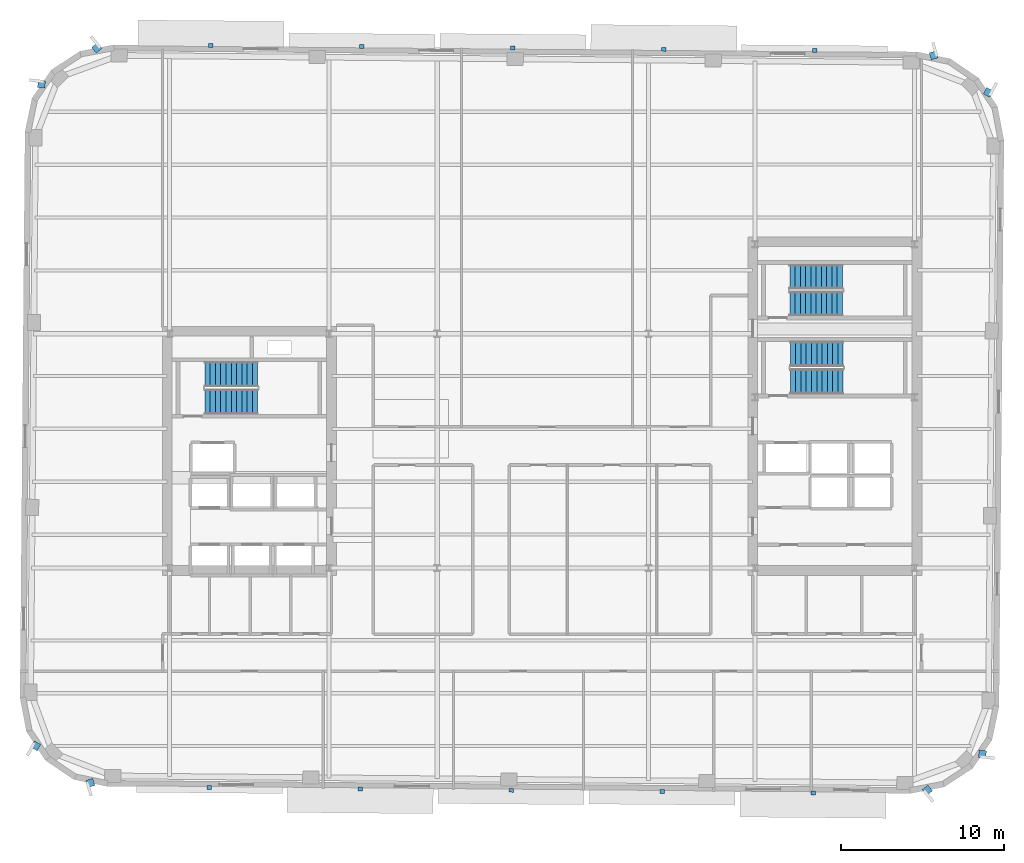
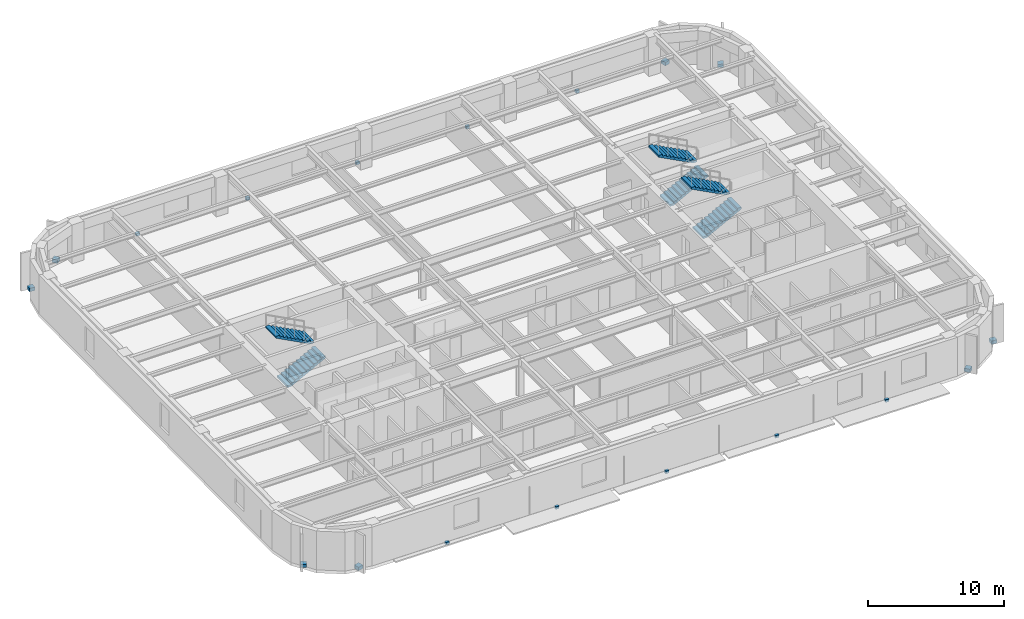
# One storey, part 7 of 12: 18 discrete accessories, 6 stair flights, 3 elements without a shape of their own.
"""IFC4 building model written with IfcOpenShell, lengths in metres."""

from ifc_helpers import new_model, si_unit, direction, frame, origin, origin_2d, place, context, subcontext, project, spatial, polyline, rectangle, outline, extrude, material, type_object, element, aggregate, save


model = new_model("IFC4")

# Units and contexts
model_context = context("Model", 3, precision=1e-05, world=origin(), true_north=direction((0.0, 1.0)))
body_context = subcontext(model_context, "Body", "Model", "MODEL_VIEW")
ifc_project = project(units=[si_unit("LENGTHUNIT", "METRE"), si_unit("AREAUNIT", "SQUARE_METRE"), si_unit("VOLUMEUNIT", "CUBIC_METRE"), si_unit("PLANEANGLEUNIT", "RADIAN"), si_unit("MASSUNIT", "GRAM", prefix="KILO")], contexts=[model_context])

# Site, building, storey
site_placement = place(None, origin())
site = spatial("IfcSite", under=ifc_project, at=site_placement, CompositionType="ELEMENT")
building_placement = place(site_placement, origin())
building = spatial("IfcBuilding", under=site, at=building_placement, Name="Kolvaren Arena Tower", CompositionType="ELEMENT")
storey_placement = place(building_placement, frame((0.0, 0.0, 199.699951171875)))
storey = spatial("IfcBuildingStorey", under=building, at=storey_placement, Name="L48", CompositionType="ELEMENT", Elevation=199.699951171875)

# Stair, stair flights
ifc_material_1 = material(Name="Concrete 45 MPa", Category="concrete")
stair_type_1 = type_object("IfcStairType", Name="STAIR-CORE-150", PredefinedType="HALF_TURN_STAIR", material=ifc_material_1)
stair_1_placement = place(storey_placement, origin())
stair_1 = element("IfcStair", 1, at=stair_1_placement, inside=storey, type_object=stair_type_1, Name="L48 ST-E2", PredefinedType="HALF_TURN_STAIR")
stair_flight_type_1 = type_object("IfcStairFlightType", Name="FLT-150", PredefinedType="STRAIGHT", material=ifc_material_1)
stair_flight_1_placement = place(storey_placement, frame((52.679931640625, 35.699951171875, 0.0), z_axis=(0.0, 0.0, 1.0), x_axis=(1.0, 0.0, 0.0)))
stair_flight_1 = element("IfcStairFlight", 2, at=stair_flight_1_placement, type_object=stair_flight_type_1, Name="ST-E2 flight 1", NumberOfRisers=11, NumberOfTreads=10, PredefinedType="STRAIGHT", RiserHeight=0.170454545, TreadLength=0.324, context=body_context, shape_type="SweptSolid", body=[
    extrude(outline(polyline([(0.0, 0.0), (0.0, 0.17041015625), (0.323974609375, 0.17041015625), (0.323974609375, 0.3408203125), (0.64794921875, 0.3408203125), (0.64794921875, 0.511474609375), (0.971923828125, 0.511474609375), (0.971923828125, 0.681884765625), (1.2958984375, 0.681884765625), (1.2958984375, 0.852294921875), (1.6201171875, 0.852294921875), (1.6201171875, 1.022705078125), (1.944091796875, 1.022705078125), (1.944091796875, 1.193115234375), (2.26806640625, 1.193115234375), (2.26806640625, 1.363525390625), (2.592041015625, 1.363525390625), (2.592041015625, 1.5341796875), (2.916015625, 1.5341796875), (2.916015625, 1.70458984375), (3.239990234375, 1.70458984375), (3.239990234375, 1.875), (3.239990234375, 1.53515625), (0.322021484375, 0.0), (0.0, 0.0)])), frame((0.0, 0.75, 0.0), z_axis=(0.0, -1.0, 0.0), x_axis=(1.0, 0.0, 0.0)), (0.0, 0.0, 1.0), 1.5),
])
stair_flight_2_placement = place(storey_placement, frame((55.919921875, 37.35009765625, 1.875), z_axis=(0.0, 0.0, 1.0), x_axis=(-1.0, 0.0, 0.0)))
stair_flight_2 = element("IfcStairFlight", 3, at=stair_flight_2_placement, type_object=stair_flight_type_1, Name="ST-E2 flight 2", NumberOfRisers=11, NumberOfTreads=10, PredefinedType="STRAIGHT", RiserHeight=0.170454545, TreadLength=0.324, context=body_context, shape_type="SweptSolid", body=[
    extrude(outline(polyline([(0.0, 0.0), (0.0, 0.17041015625), (0.323974609375, 0.17041015625), (0.323974609375, 0.3408203125), (0.64794921875, 0.3408203125), (0.64794921875, 0.511474609375), (0.971923828125, 0.511474609375), (0.971923828125, 0.681884765625), (1.2958984375, 0.681884765625), (1.2958984375, 0.852294921875), (1.6201171875, 0.852294921875), (1.6201171875, 1.022705078125), (1.944091796875, 1.022705078125), (1.944091796875, 1.193115234375), (2.26806640625, 1.193115234375), (2.26806640625, 1.363525390625), (2.592041015625, 1.363525390625), (2.592041015625, 1.5341796875), (2.916015625, 1.5341796875), (2.916015625, 1.70458984375), (3.239990234375, 1.70458984375), (3.239990234375, 1.875), (3.239990234375, 1.53515625), (0.322021484375, 0.0), (0.0, 0.0)])), frame((0.0, 0.75, 0.0), z_axis=(0.0, -1.0, 0.0), x_axis=(1.0, 0.0, 0.0)), (0.0, 0.0, 1.0), 1.5),
])
aggregate(stair_1, [stair_flight_1, stair_flight_2])

stair_type_2 = type_object("IfcStairType", Name="STAIR-CORE-165", PredefinedType="HALF_TURN_STAIR", material=ifc_material_1)
stair_2_placement = place(storey_placement, origin())
stair_2 = element("IfcStair", 4, at=stair_2_placement, inside=storey, type_object=stair_type_2, Name="L48 ST-W1", PredefinedType="HALF_TURN_STAIR")
stair_flight_type_2 = type_object("IfcStairFlightType", Name="FLT-165", PredefinedType="STRAIGHT", material=ifc_material_1)
stair_flight_3_placement = place(storey_placement, frame((16.719970703125, 29.669921875, 0.0), z_axis=(0.0, 0.0, 1.0), x_axis=(1.0, 0.0, 0.0)))
stair_flight_3 = element("IfcStairFlight", 5, at=stair_flight_3_placement, type_object=stair_flight_type_2, Name="ST-W1 flight 1", NumberOfRisers=11, NumberOfTreads=10, PredefinedType="STRAIGHT", RiserHeight=0.170454545, TreadLength=0.324, context=body_context, shape_type="SweptSolid", body=[
    extrude(outline(polyline([(0.0, 0.0), (0.0, 0.17041015625), (0.323974609375, 0.17041015625), (0.323974609375, 0.3408203125), (0.64794921875, 0.3408203125), (0.64794921875, 0.511474609375), (0.971923828125, 0.511474609375), (0.971923828125, 0.681884765625), (1.2958984375, 0.681884765625), (1.2958984375, 0.852294921875), (1.6201171875, 0.852294921875), (1.6201171875, 1.022705078125), (1.944091796875, 1.022705078125), (1.944091796875, 1.193115234375), (2.26806640625, 1.193115234375), (2.26806640625, 1.363525390625), (2.592041015625, 1.363525390625), (2.592041015625, 1.5341796875), (2.916015625, 1.5341796875), (2.916015625, 1.70458984375), (3.239990234375, 1.70458984375), (3.239990234375, 1.875), (3.239990234375, 1.53515625), (0.322021484375, 0.0), (0.0, 0.0)])), frame((0.0, 0.77001953125, 0.0), z_axis=(0.0, -1.0, 0.0), x_axis=(1.0, 0.0, 0.0)), (0.0, 0.0, 1.0), 1.5400390625),
])
stair_flight_4_placement = place(storey_placement, frame((19.9599609375, 31.360107421875, 1.875), z_axis=(0.0, 0.0, 1.0), x_axis=(-1.0, 0.0, 0.0)))
stair_flight_4 = element("IfcStairFlight", 6, at=stair_flight_4_placement, type_object=stair_flight_type_2, Name="ST-W1 flight 2", NumberOfRisers=11, NumberOfTreads=10, PredefinedType="STRAIGHT", RiserHeight=0.170454545, TreadLength=0.324, context=body_context, shape_type="SweptSolid", body=[
    extrude(outline(polyline([(0.0, 0.0), (0.0, 0.17041015625), (0.323974609375, 0.17041015625), (0.323974609375, 0.3408203125), (0.64794921875, 0.3408203125), (0.64794921875, 0.511474609375), (0.971923828125, 0.511474609375), (0.971923828125, 0.681884765625), (1.2958984375, 0.681884765625), (1.2958984375, 0.852294921875), (1.6201171875, 0.852294921875), (1.6201171875, 1.022705078125), (1.944091796875, 1.022705078125), (1.944091796875, 1.193115234375), (2.26806640625, 1.193115234375), (2.26806640625, 1.363525390625), (2.592041015625, 1.363525390625), (2.592041015625, 1.5341796875), (2.916015625, 1.5341796875), (2.916015625, 1.70458984375), (3.239990234375, 1.70458984375), (3.239990234375, 1.875), (3.239990234375, 1.53515625), (0.322021484375, 0.0), (0.0, 0.0)])), frame((0.0, 0.77001953125, 0.0), z_axis=(0.0, -1.0, 0.0), x_axis=(1.0, 0.0, 0.0)), (0.0, 0.0, 1.0), 1.5400390625),
])
aggregate(stair_2, [stair_flight_3, stair_flight_4])

stair_3_placement = place(storey_placement, origin())
stair_3 = element("IfcStair", 7, at=stair_3_placement, inside=storey, type_object=stair_type_2, Name="L48 ST-E1", PredefinedType="HALF_TURN_STAIR")
stair_flight_5_placement = place(storey_placement, frame((52.719970703125, 30.919921875, 0.0), z_axis=(0.0, 0.0, 1.0), x_axis=(1.0, 0.0, 0.0)))
stair_flight_5 = element("IfcStairFlight", 8, at=stair_flight_5_placement, type_object=stair_flight_type_2, Name="ST-E1 flight 1", NumberOfRisers=11, NumberOfTreads=10, PredefinedType="STRAIGHT", RiserHeight=0.170454545, TreadLength=0.324, context=body_context, shape_type="SweptSolid", body=[
    extrude(outline(polyline([(0.0, 0.0), (0.0, 0.17041015625), (0.323974609375, 0.17041015625), (0.323974609375, 0.3408203125), (0.64794921875, 0.3408203125), (0.64794921875, 0.511474609375), (0.971923828125, 0.511474609375), (0.971923828125, 0.681884765625), (1.2958984375, 0.681884765625), (1.2958984375, 0.852294921875), (1.6201171875, 0.852294921875), (1.6201171875, 1.022705078125), (1.944091796875, 1.022705078125), (1.944091796875, 1.193115234375), (2.26806640625, 1.193115234375), (2.26806640625, 1.363525390625), (2.592041015625, 1.363525390625), (2.592041015625, 1.5341796875), (2.916015625, 1.5341796875), (2.916015625, 1.70458984375), (3.239990234375, 1.70458984375), (3.239990234375, 1.875), (3.239990234375, 1.53515625), (0.322021484375, 0.0), (0.0, 0.0)])), frame((0.0, 0.77001953125, 0.0), z_axis=(0.0, -1.0, 0.0), x_axis=(1.0, 0.0, 0.0)), (0.0, 0.0, 1.0), 1.5400390625),
])
stair_flight_6_placement = place(storey_placement, frame((55.9599609375, 32.610107421875, 1.875), z_axis=(0.0, 0.0, 1.0), x_axis=(-1.0, 0.0, 0.0)))
stair_flight_6 = element("IfcStairFlight", 9, at=stair_flight_6_placement, type_object=stair_flight_type_2, Name="ST-E1 flight 2", NumberOfRisers=11, NumberOfTreads=10, PredefinedType="STRAIGHT", RiserHeight=0.170454545, TreadLength=0.324, context=body_context, shape_type="SweptSolid", body=[
    extrude(outline(polyline([(0.0, 0.0), (0.0, 0.17041015625), (0.323974609375, 0.17041015625), (0.323974609375, 0.3408203125), (0.64794921875, 0.3408203125), (0.64794921875, 0.511474609375), (0.971923828125, 0.511474609375), (0.971923828125, 0.681884765625), (1.2958984375, 0.681884765625), (1.2958984375, 0.852294921875), (1.6201171875, 0.852294921875), (1.6201171875, 1.022705078125), (1.944091796875, 1.022705078125), (1.944091796875, 1.193115234375), (2.26806640625, 1.193115234375), (2.26806640625, 1.363525390625), (2.592041015625, 1.363525390625), (2.592041015625, 1.5341796875), (2.916015625, 1.5341796875), (2.916015625, 1.70458984375), (3.239990234375, 1.70458984375), (3.239990234375, 1.875), (3.239990234375, 1.53515625), (0.322021484375, 0.0), (0.0, 0.0)])), frame((0.0, 0.77001953125, 0.0), z_axis=(0.0, -1.0, 0.0), x_axis=(1.0, 0.0, 0.0)), (0.0, 0.0, 1.0), 1.5400390625),
])
aggregate(stair_3, [stair_flight_5, stair_flight_6])

# Discrete accessories
ifc_material_2 = material(Name="Stainless steel facade support bracket", Category="steel")
discrete_accessory_type = type_object("IfcDiscreteAccessoryType", Name="ACC-BRKT-1", PredefinedType="BRACKET", material=ifc_material_2)
for number, where, z_axis, x_axis, name in (
    (10, (61.135009765625, 5.78173828125, 0.02001953125), (0.0, 0.0, 1.0), (0.625923472184, -0.779884483093, 0.0), "Corner Fin Anchor Bracket (L48)"),
    (11, (64.52490234375, 8.00439453125, 0.02001953125), (0.0, 0.0, 1.0), (0.994056908234, -0.108861669984, 0.0), "Corner Fin Anchor Bracket (L48)"),
    (12, (64.880126953125, 48.687744140625, 0.02001953125), (0.0, 0.0, 1.0), (0.480994889615, 0.876723397751, 0.0), "Corner Fin Anchor Bracket (L48)"),
    (13, (61.529296875, 50.968994140625, 0.02001953125), (0.0, 0.0, 1.0), (-0.279812257957, 0.960054738177, 0.0), "Corner Fin Anchor Bracket (L48)"),
):
    element("IfcDiscreteAccessory", number, at=place(storey_placement, frame(where, z_axis=z_axis, x_axis=x_axis)), inside=storey, type_object=discrete_accessory_type, Name=name, PredefinedType="BRACKET", context=body_context, shape_type="SweptSolid", body=[
        extrude(rectangle(XDim=0.449951171875, YDim=0.449951171875, at=origin_2d()), origin(), (0.0, 0.0, 1.0), 0.300048828125),
    ])
for number, where, z_axis, x_axis, name in (
    (14, (17.08984375, 51.58251953125, -0.18017578125), (0.0, 0.0, 1.0), (0.999961923064, -0.008726535498, 0.0), "Sunshade Support Bracket (L48)"),
    (15, (26.369384765625, 51.50146484375, -0.18017578125), (0.0, 0.0, 1.0), (0.999961923064, -0.008726535498, 0.0), "Sunshade Support Bracket (L48)"),
    (16, (35.649169921875, 51.42041015625, -0.18017578125), (0.0, 0.0, 1.0), (0.999961923064, -0.008726535498, 0.0), "Sunshade Support Bracket (L48)"),
    (17, (44.9287109375, 51.339599609375, -0.18017578125), (0.0, 0.0, 1.0), (0.999961923064, -0.008726535498, 0.0), "Sunshade Support Bracket (L48)"),
    (18, (54.20849609375, 51.258544921875, -0.18017578125), (0.0, 0.0, 1.0), (0.999961923064, -0.008726535498, 0.0), "Sunshade Support Bracket (L48)"),
):
    element("IfcDiscreteAccessory", number, at=place(storey_placement, frame(where, z_axis=z_axis, x_axis=x_axis)), inside=storey, type_object=discrete_accessory_type, Name=name, PredefinedType="BRACKET", context=body_context, shape_type="SweptSolid", body=[
        extrude(rectangle(XDim=0.280029296875, YDim=0.239990234375, at=origin_2d()), origin(), (0.0, 0.0, 1.0), 0.239990234375),
    ])
for number, where, z_axis, x_axis, name in (
    (19, (10.06494140625, 51.418212890625, 0.02001953125), (0.0, 0.0, 1.0), (-0.625923472184, 0.779884483093, 0.0), "Corner Fin Anchor Bracket (L48)"),
    (20, (6.675048828125, 49.195556640625, 0.02001953125), (0.0, 0.0, 1.0), (-0.994056908234, 0.108861669984, 0.0), "Corner Fin Anchor Bracket (L48)"),
    (21, (6.31982421875, 8.51220703125, 0.02001953125), (0.0, 0.0, 1.0), (-0.480994889615, -0.876723397751, 0.0), "Corner Fin Anchor Bracket (L48)"),
    (22, (9.670654296875, 6.23095703125, 0.02001953125), (0.0, 0.0, 1.0), (0.279812257957, -0.960054738177, 0.0), "Corner Fin Anchor Bracket (L48)"),
):
    element("IfcDiscreteAccessory", number, at=place(storey_placement, frame(where, z_axis=z_axis, x_axis=x_axis)), inside=storey, type_object=discrete_accessory_type, Name=name, PredefinedType="BRACKET", context=body_context, shape_type="SweptSolid", body=[
        extrude(rectangle(XDim=0.449951171875, YDim=0.449951171875, at=origin_2d()), origin(), (0.0, 0.0, 1.0), 0.300048828125),
    ])
for number, where, z_axis, x_axis, name in (
    (23, (54.110107421875, 5.61767578125, -0.18017578125), (0.0, 0.0, 1.0), (-0.999961923064, 0.008726535498, 0.0), "Sunshade Support Bracket (L48)"),
    (24, (44.83056640625, 5.698486328125, -0.18017578125), (0.0, 0.0, 1.0), (-0.999961923064, 0.008726535498, 0.0), "Sunshade Support Bracket (L48)"),
    (25, (35.55078125, 5.779541015625, -0.18017578125), (0.0, 0.0, 1.0), (-0.999961923064, 0.008726535498, 0.0), "Sunshade Support Bracket (L48)"),
    (26, (26.271240234375, 5.860595703125, -0.18017578125), (0.0, 0.0, 1.0), (-0.999961923064, 0.008726535498, 0.0), "Sunshade Support Bracket (L48)"),
    (27, (16.99169921875, 5.94140625, -0.18017578125), (0.0, 0.0, 1.0), (-0.999961923064, 0.008726535498, 0.0), "Sunshade Support Bracket (L48)"),
):
    element("IfcDiscreteAccessory", number, at=place(storey_placement, frame(where, z_axis=z_axis, x_axis=x_axis)), inside=storey, type_object=discrete_accessory_type, Name=name, PredefinedType="BRACKET", context=body_context, shape_type="SweptSolid", body=[
        extrude(rectangle(XDim=0.280029296875, YDim=0.239990234375, at=origin_2d()), origin(), (0.0, 0.0, 1.0), 0.239990234375),
    ])

save(model, "model.ifc")
